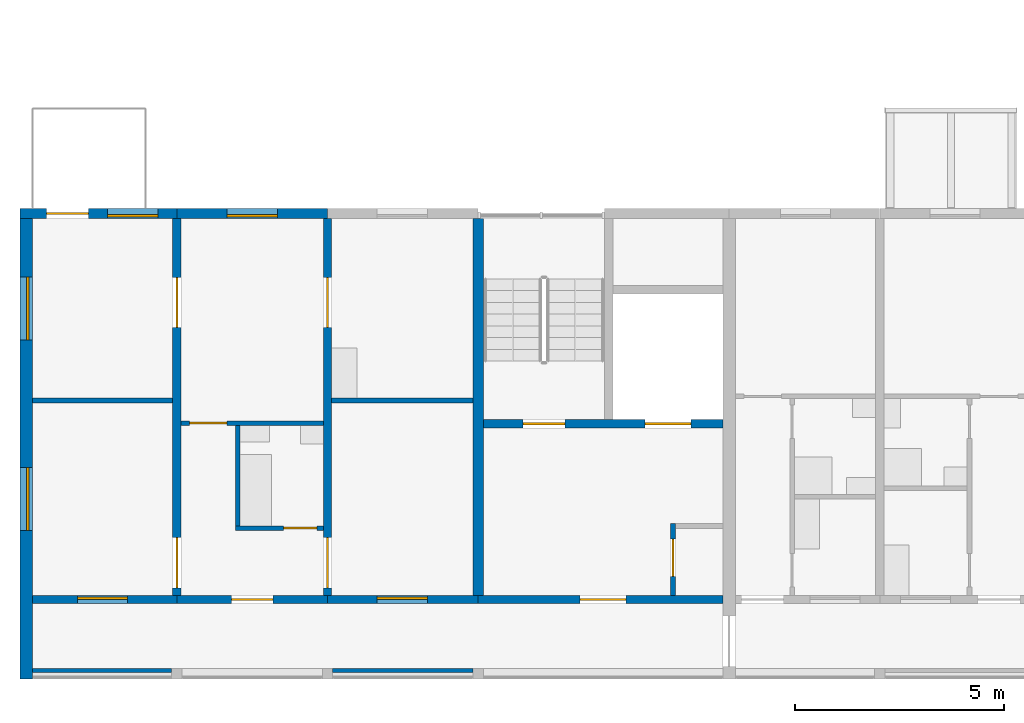
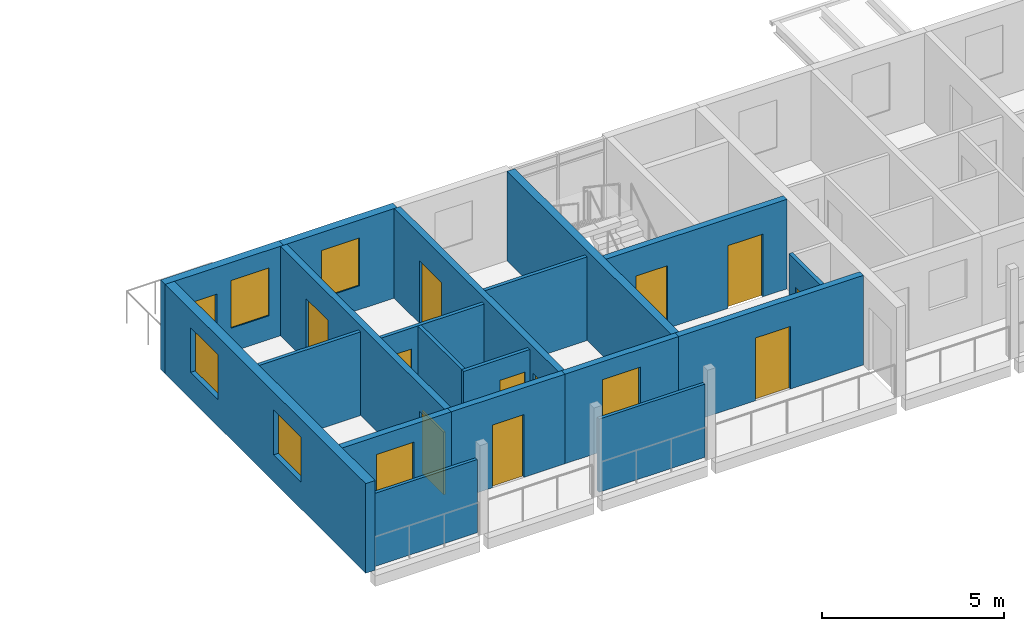
# One storey, part 33 of 94: 19 walls, 12 doors, 6 windows, 18 openings.
"""IFC4 building model written with IfcOpenShell, lengths in metres."""

from ifc_helpers import new_model, si_unit, direction, frame, frame_2d, origin, place, context, subcontext, project, spatial, rectangle, extrude, material, layer, layer_set, type_object, element, fill, save


model = new_model("IFC4")

# Units and contexts
model_context = context("Model", 3, precision=1e-05, world=origin(), true_north=direction((0.0, 1.0)))
body_context = subcontext(model_context, "Body", "Model", "MODEL_VIEW")
ifc_project = project(units=[si_unit("LENGTHUNIT", "METRE"), si_unit("AREAUNIT", "SQUARE_METRE"), si_unit("VOLUMEUNIT", "CUBIC_METRE"), si_unit("PLANEANGLEUNIT", "RADIAN"), si_unit("MASSUNIT", "GRAM", prefix="KILO")], contexts=[model_context])

# Site, building, storey
site_placement = place(None, origin())
site = spatial("IfcSite", under=ifc_project, at=site_placement, CompositionType="ELEMENT")
building_placement = place(site_placement, origin())
building = spatial("IfcBuilding", under=site, at=building_placement, Name="Ridgestep Commons", CompositionType="ELEMENT")
storey_placement = place(building_placement, frame((0.0, 0.0, 24.0)))
storey = spatial("IfcBuildingStorey", under=building, at=storey_placement, Name="L08", CompositionType="ELEMENT", Elevation=24.0)

# Wall
ifc_material_1 = material(Name="Concrete C30/37", Category="concrete")
ifc_layer_1 = layer(ifc_material_1, 0.25)
ifc_layer_set_1 = layer_set([ifc_layer_1], Name="Core cross wall 250")
wall_type_1 = type_object("IfcWallType", Name="Core cross wall 250", PredefinedType="SHEAR", material=ifc_layer_set_1)
wall_1_placement = place(storey_placement, frame((22.800048828125, 13.75, 0.0), z_axis=(0.0, 0.0, 1.0), x_axis=(0.0, 1.0, 0.0)))
element("IfcWall", 1, at=wall_1_placement, inside=storey, type_object=wall_type_1, Name="Cross wall A-08-0228", PredefinedType="SHEAR", context=body_context, shape_type="SweptSolid", body=[
    extrude(rectangle(XDim=9.0, YDim=0.25, at=frame_2d((4.5, 0.0))), origin(), (0.0, 0.0, 1.0), 3.0),
])

# Wall, opening, door
ifc_material_2 = material(Name="Concrete C30/37", Category="concrete")
ifc_layer_2 = layer(ifc_material_2, 0.199951171875)
ifc_layer_set_2 = layer_set([ifc_layer_2], Name="Core south wall 200")
wall_type_2 = type_object("IfcWallType", Name="Core south wall 200", PredefinedType="SHEAR", material=ifc_layer_set_2)
wall_2_placement = place(storey_placement, frame((22.800048828125, 13.64990234375, 0.0), z_axis=(0.0, 0.0, 1.0), x_axis=(1.0, 0.0, 0.0)))
wall_2 = element("IfcWall", 2, at=wall_2_placement, inside=storey, type_object=wall_type_2, Name="Core south wall A1C L08", PredefinedType="SHEAR", context=body_context, shape_type="SweptSolid", body=[
    extrude(rectangle(XDim=5.849853515625, YDim=0.199951171875, at=frame_2d((2.9248046875, 0.0))), origin(), (0.0, 0.0, 1.0), 3.0),
])
opening_1_placement = place(wall_2_placement, frame((2.4375, 0.0, 0.0)))
opening_1 = element("IfcOpeningElement", 3, at=opening_1_placement, cuts=wall_2, Name="Opening A1C/08/1", PredefinedType="OPENING", context=body_context, shape_type="SweptSolid", body=[
    extrude(rectangle(XDim=1.10009765625, YDim=2.10009765625, at=frame_2d((0.550048828125, 1.050048828125))), frame((0.0, 0.10986328125, 0.0), z_axis=(0.0, -1.0, 0.0), x_axis=(1.0, 0.0, 0.0)), (0.0, 0.0, 1.0), 0.219970703125),
])
ifc_material_3 = material(Name="Steel fire door", Category="steel")
door_type_1 = type_object("IfcDoorType", Name="Lobby door 1100 x 2100 FD60", OperationType="NOTDEFINED", PredefinedType="DOOR", material=ifc_material_3)
door_1_placement = place(opening_1_placement, origin())
door_1 = element("IfcDoor", 4, at=door_1_placement, inside=storey, type_object=door_type_1, Name="Lobby door A1C/08/1", OperationType="SINGLE_SWING_LEFT", OverallHeight=2.10009765625, OverallWidth=1.10009765625, PredefinedType="DOOR", context=body_context, shape_type="SweptSolid", body=[
    extrude(rectangle(XDim=1.10009765625, YDim=2.10009765625, at=frame_2d((0.550048828125, 1.050048828125))), frame((0.0, 0.02490234375, 0.0), z_axis=(0.0, -1.0, 0.0), x_axis=(1.0, 0.0, 0.0)), (0.0, 0.0, 1.0), 0.050048828125),
])
fill(opening_1, door_1)

ifc_material_4 = material(Name="Concrete C30/37", Category="concrete")
ifc_layer_3 = layer(ifc_material_4, 0.1201171875)
ifc_layer_set_3 = layer_set([ifc_layer_3], Name="Core wall 120")
wall_type_3 = type_object("IfcWallType", Name="Core wall 120", PredefinedType="SHEAR", material=ifc_layer_set_3)
wall_3_placement = place(storey_placement, frame((27.4599609375, 13.75, 0.0), z_axis=(0.0, 0.0, 1.0), x_axis=(0.0, 1.0, 0.0)))
wall_3 = element("IfcWall", 5, at=wall_3_placement, inside=storey, type_object=wall_type_3, Name="Core riser w wall A1C L08", PredefinedType="SHEAR", context=body_context, shape_type="SweptSolid", body=[
    extrude(rectangle(XDim=1.719970703125, YDim=0.1201171875, at=frame_2d((0.85986328125, 0.0))), origin(), (0.0, 0.0, 1.0), 3.0),
])
opening_2_placement = place(wall_3_placement, frame((0.449951171875, 0.0, 0.0)))
opening_2 = element("IfcOpeningElement", 6, at=opening_2_placement, cuts=wall_3, Name="Opening A1C/08/4", PredefinedType="OPENING", context=body_context, shape_type="SweptSolid", body=[
    extrude(rectangle(XDim=0.89990234375, YDim=2.10009765625, at=frame_2d((0.449951171875, 1.050048828125))), frame((0.0, 0.070068359375, 0.0), z_axis=(0.0, -1.0, 0.0), x_axis=(1.0, 0.0, 0.0)), (0.0, 0.0, 1.0), 0.14013671875),
])
ifc_material_5 = material(Name="Steel fire door", Category="steel")
door_type_2 = type_object("IfcDoorType", Name="Riser door 900 x 2100 FD60", OperationType="NOTDEFINED", PredefinedType="DOOR", material=ifc_material_5)
door_2_placement = place(opening_2_placement, origin())
door_2 = element("IfcDoor", 7, at=door_2_placement, inside=storey, type_object=door_type_2, Name="Riser door A1C/08/4", OperationType="SINGLE_SWING_LEFT", OverallHeight=2.10009765625, OverallWidth=0.89990234375, PredefinedType="DOOR", context=body_context, shape_type="SweptSolid", body=[
    extrude(rectangle(XDim=0.89990234375, YDim=2.10009765625, at=frame_2d((0.449951171875, 1.050048828125))), frame((0.0, 0.02490234375, 0.0), z_axis=(0.0, -1.0, 0.0), x_axis=(1.0, 0.0, 0.0)), (0.0, 0.0, 1.0), 0.050048828125),
])
fill(opening_2, door_2)

# Wall, openings, doors
ifc_material_6 = material(Name="Concrete C30/37", Category="concrete")
ifc_layer_4 = layer(ifc_material_6, 0.199951171875)
ifc_layer_set_4 = layer_set([ifc_layer_4], Name="Core wall 200")
wall_type_4 = type_object("IfcWallType", Name="Core wall 200", PredefinedType="SHEAR", material=ifc_layer_set_4)
wall_4_placement = place(storey_placement, frame((22.925048828125, 17.85009765625, 0.0), z_axis=(0.0, 0.0, 1.0), x_axis=(1.0, 0.0, 0.0)))
wall_4 = element("IfcWall", 8, at=wall_4_placement, inside=storey, type_object=wall_type_4, Name="Core lobby wall A1C L08", PredefinedType="SHEAR", context=body_context, shape_type="SweptSolid", body=[
    extrude(rectangle(XDim=5.724853515625, YDim=0.199951171875, at=frame_2d((2.8623046875, 0.0))), origin(), (0.0, 0.0, 1.0), 3.0),
])
opening_3_placement = place(wall_4_placement, frame((0.949951171875, 0.0, 0.0)))
opening_3 = element("IfcOpeningElement", 9, at=opening_3_placement, cuts=wall_4, Name="Opening A1C/08/2", PredefinedType="OPENING", context=body_context, shape_type="SweptSolid", body=[
    extrude(rectangle(XDim=1.0, YDim=2.10009765625, at=frame_2d((0.5, 1.050048828125))), frame((0.0, 0.10986328125, 0.0), z_axis=(0.0, -1.0, 0.0), x_axis=(1.0, 0.0, 0.0)), (0.0, 0.0, 1.0), 0.219970703125),
])
opening_4_placement = place(wall_4_placement, frame((3.862548828125, 0.0, 0.0)))
opening_4 = element("IfcOpeningElement", 10, at=opening_4_placement, cuts=wall_4, Name="Opening A1C/08/3", PredefinedType="OPENING", context=body_context, shape_type="SweptSolid", body=[
    extrude(rectangle(XDim=1.10009765625, YDim=2.10009765625, at=frame_2d((0.550048828125, 1.050048828125))), frame((0.0, 0.10986328125, 0.0), z_axis=(0.0, -1.0, 0.0), x_axis=(1.0, 0.0, 0.0)), (0.0, 0.0, 1.0), 0.219970703125),
])
ifc_material_7 = material(Name="Stainless steel", Category="steel")
door_type_3 = type_object("IfcDoorType", Name="Lift landing door 1100 x 2100 FD60", OperationType="DOUBLE_DOOR_SLIDING", PredefinedType="DOOR", material=ifc_material_7)
door_3_placement = place(opening_4_placement, origin())
door_3 = element("IfcDoor", 11, at=door_3_placement, inside=storey, type_object=door_type_3, Name="Landing door LD A1C L08", OperationType="DOUBLE_DOOR_SLIDING", OverallHeight=2.10009765625, OverallWidth=1.10009765625, PredefinedType="DOOR", context=body_context, shape_type="SweptSolid", body=[
    extrude(rectangle(XDim=1.10009765625, YDim=2.10009765625, at=frame_2d((0.550048828125, 1.050048828125))), frame((0.0, 0.02490234375, 0.0), z_axis=(0.0, -1.0, 0.0), x_axis=(1.0, 0.0, 0.0)), (0.0, 0.0, 1.0), 0.050048828125),
])
fill(opening_4, door_3)
ifc_material_8 = material(Name="Steel fire door", Category="steel")
door_type_4 = type_object("IfcDoorType", Name="Stair door 1000 x 2100 FD60", OperationType="NOTDEFINED", PredefinedType="DOOR", material=ifc_material_8)
door_4_placement = place(opening_3_placement, origin())
door_4 = element("IfcDoor", 12, at=door_4_placement, inside=storey, type_object=door_type_4, Name="Stair door A1C/08/2", OperationType="SINGLE_SWING_RIGHT", OverallHeight=2.10009765625, OverallWidth=1.0, PredefinedType="DOOR", context=body_context, shape_type="SweptSolid", body=[
    extrude(rectangle(XDim=1.0, YDim=2.10009765625, at=frame_2d((0.5, 1.050048828125))), frame((0.0, 0.02490234375, 0.0), z_axis=(0.0, -1.0, 0.0), x_axis=(1.0, 0.0, 0.0)), (0.0, 0.0, 1.0), 0.050048828125),
])
fill(opening_3, door_4)

ifc_material_9 = material(Name="Precast concrete C40/50", Category="concrete")
ifc_layer_5 = layer(ifc_material_9, 0.199951171875)
ifc_layer_set_5 = layer_set([ifc_layer_5], Name="Cross wall 200")
wall_type_5 = type_object("IfcWallType", Name="Cross wall 200", PredefinedType="SHEAR", material=ifc_layer_set_5)
wall_5_placement = place(storey_placement, frame((15.60009765625, 13.75, 0.0), z_axis=(0.0, 0.0, 1.0), x_axis=(0.0, 1.0, 0.0)))
wall_5 = element("IfcWall", 13, at=wall_5_placement, inside=storey, type_object=wall_type_5, Name="Cross wall A-08-0156", PredefinedType="SHEAR", context=body_context, shape_type="SweptSolid", body=[
    extrude(rectangle(XDim=9.0, YDim=0.199951171875, at=frame_2d((4.5, 0.0))), origin(), (0.0, 0.0, 1.0), 3.0),
])
opening_5_placement = place(wall_5_placement, frame((0.175048828125, 0.0, 0.0)))
opening_5 = element("IfcOpeningElement", 14, at=opening_5_placement, cuts=wall_5, Name="Opening A1-08a/4", PredefinedType="OPENING", context=body_context, shape_type="SweptSolid", body=[
    extrude(rectangle(XDim=1.199951171875, YDim=2.10009765625, at=frame_2d((0.60009765625, 1.050048828125))), frame((0.0, 0.10986328125, 0.0), z_axis=(0.0, -1.0, 0.0), x_axis=(1.0, 0.0, 0.0)), (0.0, 0.0, 1.0), 0.219970703125),
])
opening_6_placement = place(wall_5_placement, frame((6.39990234375, 0.0, 0.0)))
opening_6 = element("IfcOpeningElement", 15, at=opening_6_placement, cuts=wall_5, Name="Opening A1-08a/5", PredefinedType="OPENING", context=body_context, shape_type="SweptSolid", body=[
    extrude(rectangle(XDim=1.199951171875, YDim=2.10009765625, at=frame_2d((0.60009765625, 1.050048828125))), frame((0.0, 0.10986328125, 0.0), z_axis=(0.0, -1.0, 0.0), x_axis=(1.0, 0.0, 0.0)), (0.0, 0.0, 1.0), 0.219970703125),
])
ifc_material_10 = material(Name="Timber door leaf", Category="wood")
door_type_5 = type_object("IfcDoorType", Name="Double door 1200 x 2100", OperationType="DOUBLE_DOOR_SINGLE_SWING", PredefinedType="DOOR", material=ifc_material_10)
door_5_placement = place(opening_5_placement, origin())
door_5 = element("IfcDoor", 16, at=door_5_placement, inside=storey, type_object=door_type_5, Name="Double door A1-08a/4", OperationType="DOUBLE_DOOR_SINGLE_SWING", OverallHeight=2.10009765625, OverallWidth=1.199951171875, PredefinedType="DOOR", context=body_context, shape_type="SweptSolid", body=[
    extrude(rectangle(XDim=1.199951171875, YDim=2.10009765625, at=frame_2d((0.60009765625, 1.050048828125))), frame((0.0, 0.02490234375, 0.0), z_axis=(0.0, -1.0, 0.0), x_axis=(1.0, 0.0, 0.0)), (0.0, 0.0, 1.0), 0.050048828125),
])
fill(opening_5, door_5)
door_6_placement = place(opening_6_placement, origin())
door_6 = element("IfcDoor", 17, at=door_6_placement, inside=storey, type_object=door_type_5, Name="Double door A1-08a/5", OperationType="DOUBLE_DOOR_SINGLE_SWING", OverallHeight=2.10009765625, OverallWidth=1.199951171875, PredefinedType="DOOR", context=body_context, shape_type="SweptSolid", body=[
    extrude(rectangle(XDim=1.199951171875, YDim=2.10009765625, at=frame_2d((0.60009765625, 1.050048828125))), frame((0.0, 0.02490234375, 0.0), z_axis=(0.0, -1.0, 0.0), x_axis=(1.0, 0.0, 0.0)), (0.0, 0.0, 1.0), 0.050048828125),
])
fill(opening_6, door_6)

wall_6_placement = place(storey_placement, frame((19.199951171875, 13.75, 0.0), z_axis=(0.0, 0.0, 1.0), x_axis=(0.0, 1.0, 0.0)))
wall_6 = element("IfcWall", 18, at=wall_6_placement, inside=storey, type_object=wall_type_5, Name="Cross wall A-08-0192", PredefinedType="SHEAR", context=body_context, shape_type="SweptSolid", body=[
    extrude(rectangle(XDim=9.0, YDim=0.199951171875, at=frame_2d((4.5, 0.0))), origin(), (0.0, 0.0, 1.0), 3.0),
])
opening_7_placement = place(wall_6_placement, frame((0.175048828125, 0.0, 0.0)))
opening_7 = element("IfcOpeningElement", 19, at=opening_7_placement, cuts=wall_6, Name="Opening A1-08a/6", PredefinedType="OPENING", context=body_context, shape_type="SweptSolid", body=[
    extrude(rectangle(XDim=1.199951171875, YDim=2.10009765625, at=frame_2d((0.60009765625, 1.050048828125))), frame((0.0, 0.10986328125, 0.0), z_axis=(0.0, -1.0, 0.0), x_axis=(1.0, 0.0, 0.0)), (0.0, 0.0, 1.0), 0.219970703125),
])
opening_8_placement = place(wall_6_placement, frame((6.39990234375, 0.0, 0.0)))
opening_8 = element("IfcOpeningElement", 20, at=opening_8_placement, cuts=wall_6, Name="Opening A1-08a/7", PredefinedType="OPENING", context=body_context, shape_type="SweptSolid", body=[
    extrude(rectangle(XDim=1.199951171875, YDim=2.10009765625, at=frame_2d((0.60009765625, 1.050048828125))), frame((0.0, 0.10986328125, 0.0), z_axis=(0.0, -1.0, 0.0), x_axis=(1.0, 0.0, 0.0)), (0.0, 0.0, 1.0), 0.219970703125),
])
door_7_placement = place(opening_7_placement, origin())
door_7 = element("IfcDoor", 21, at=door_7_placement, inside=storey, type_object=door_type_5, Name="Double door A1-08a/6", OperationType="DOUBLE_DOOR_SINGLE_SWING", OverallHeight=2.10009765625, OverallWidth=1.199951171875, PredefinedType="DOOR", context=body_context, shape_type="SweptSolid", body=[
    extrude(rectangle(XDim=1.199951171875, YDim=2.10009765625, at=frame_2d((0.60009765625, 1.050048828125))), frame((0.0, 0.02490234375, 0.0), z_axis=(0.0, -1.0, 0.0), x_axis=(1.0, 0.0, 0.0)), (0.0, 0.0, 1.0), 0.050048828125),
])
fill(opening_7, door_7)
door_8_placement = place(opening_8_placement, origin())
door_8 = element("IfcDoor", 22, at=door_8_placement, inside=storey, type_object=door_type_5, Name="Double door A1-08a/7", OperationType="DOUBLE_DOOR_SINGLE_SWING", OverallHeight=2.10009765625, OverallWidth=1.199951171875, PredefinedType="DOOR", context=body_context, shape_type="SweptSolid", body=[
    extrude(rectangle(XDim=1.199951171875, YDim=2.10009765625, at=frame_2d((0.60009765625, 1.050048828125))), frame((0.0, 0.02490234375, 0.0), z_axis=(0.0, -1.0, 0.0), x_axis=(1.0, 0.0, 0.0)), (0.0, 0.0, 1.0), 0.050048828125),
])
fill(opening_8, door_8)

# Wall, openings, windows
ifc_material_11 = material(Name="Precast concrete C40/50", Category="concrete")
ifc_layer_6 = layer(ifc_material_11, 0.300048828125)
ifc_layer_set_6 = layer_set([ifc_layer_6], Name="Exposed division wall 300")
wall_type_6 = type_object("IfcWallType", Name="Exposed division wall 300", PredefinedType="SHEAR", material=ifc_layer_set_6)
wall_7_placement = place(storey_placement, frame((12.0, 11.75, 0.0), z_axis=(0.0, 0.0, 1.0), x_axis=(0.0, 1.0, 0.0)))
wall_7 = element("IfcWall", 23, at=wall_7_placement, inside=storey, type_object=wall_type_6, Name="Cross wall A-08-0120", PredefinedType="SHEAR", context=body_context, shape_type="SweptSolid", body=[
    extrude(rectangle(XDim=11.0, YDim=0.300048828125, at=frame_2d((5.5, 0.0))), origin(), (0.0, 0.0, 1.0), 3.0),
])
opening_9_placement = place(wall_7_placement, frame((3.550048828125, 0.0, 0.89990234375)))
opening_9 = element("IfcOpeningElement", 24, at=opening_9_placement, cuts=wall_7, Name="Opening W16", PredefinedType="OPENING", context=body_context, shape_type="SweptSolid", body=[
    extrude(rectangle(XDim=1.5, YDim=1.5, at=frame_2d((0.75, 0.75))), frame((0.0, 0.159912109375, 0.0), z_axis=(0.0, -1.0, 0.0), x_axis=(1.0, 0.0, 0.0)), (0.0, 0.0, 1.0), 0.320068359375),
])
opening_10_placement = place(wall_7_placement, frame((8.10498046875, 0.0, 0.89990234375)))
opening_10 = element("IfcOpeningElement", 25, at=opening_10_placement, cuts=wall_7, Name="Opening W16", PredefinedType="OPENING", context=body_context, shape_type="SweptSolid", body=[
    extrude(rectangle(XDim=1.5, YDim=1.5, at=frame_2d((0.75, 0.75))), frame((0.0, 0.159912109375, 0.0), z_axis=(0.0, -1.0, 0.0), x_axis=(1.0, 0.0, 0.0)), (0.0, 0.0, 1.0), 0.320068359375),
])
ifc_material_12 = material(Name="Aluminium 6063-T6 and glass", Category="aluminium")
window_type_1 = type_object("IfcWindowType", Name="Flat window 1500 x 1500", PartitioningType="DOUBLE_PANEL_VERTICAL", PredefinedType="WINDOW", material=ifc_material_12)
window_1_placement = place(opening_9_placement, origin())
window_1 = element("IfcWindow", 26, at=window_1_placement, inside=storey, type_object=window_type_1, Name="Window A1-08a 6", OverallHeight=1.5, OverallWidth=1.5, PartitioningType="SINGLE_PANEL", PredefinedType="WINDOW", context=body_context, shape_type="SweptSolid", body=[
    extrude(rectangle(XDim=1.5, YDim=1.5, at=frame_2d((0.75, 0.75))), frame((0.0, 0.0, 0.0), z_axis=(0.0, -1.0, 0.0), x_axis=(1.0, 0.0, 0.0)), (0.0, 0.0, 1.0), 0.06005859375),
])
fill(opening_9, window_1)
window_2_placement = place(opening_10_placement, origin())
window_2 = element("IfcWindow", 27, at=window_2_placement, inside=storey, type_object=window_type_1, Name="Window A1-08a 7", OverallHeight=1.5, OverallWidth=1.5, PartitioningType="SINGLE_PANEL", PredefinedType="WINDOW", context=body_context, shape_type="SweptSolid", body=[
    extrude(rectangle(XDim=1.5, YDim=1.5, at=frame_2d((0.75, 0.75))), frame((0.0, 0.0, 0.0), z_axis=(0.0, -1.0, 0.0), x_axis=(1.0, 0.0, 0.0)), (0.0, 0.0, 1.0), 0.06005859375),
])
fill(opening_10, window_2)

# Wall, openings, door, window
ifc_material_13 = material(Name="Precast concrete C40/50", Category="concrete")
ifc_layer_7 = layer(ifc_material_13, 0.25)
ifc_layer_set_7 = layer_set([ifc_layer_7], Name="North facade panel 250")
wall_type_7 = type_object("IfcWallType", Name="North facade panel 250", PredefinedType="SOLIDWALL", material=ifc_layer_set_7)
wall_8_placement = place(storey_placement, frame((11.85009765625, 22.875, 0.0), z_axis=(0.0, 0.0, 1.0), x_axis=(1.0, 0.0, 0.0)))
wall_8 = element("IfcWall", 28, at=wall_8_placement, inside=storey, type_object=wall_type_7, Name="North panel A1T1 L08", PredefinedType="SOLIDWALL", context=body_context, shape_type="SweptSolid", body=[
    extrude(rectangle(XDim=3.75, YDim=0.25, at=frame_2d((1.875, 0.0))), origin(), (0.0, 0.0, 1.0), 3.0),
])
opening_11_placement = place(wall_8_placement, frame((2.092529296875, 0.0, 0.800048828125)))
opening_11 = element("IfcOpeningElement", 29, at=opening_11_placement, cuts=wall_8, Name="Opening W11", PredefinedType="OPENING", context=body_context, shape_type="SweptSolid", body=[
    extrude(rectangle(XDim=1.199951171875, YDim=1.60009765625, at=frame_2d((0.60009765625, 0.800048828125))), frame((0.0, 0.135009765625, 0.0), z_axis=(0.0, -1.0, 0.0), x_axis=(1.0, 0.0, 0.0)), (0.0, 0.0, 1.0), 0.27001953125),
])
opening_12_placement = place(wall_8_placement, frame((0.635009765625, 0.0, 0.0)))
opening_12 = element("IfcOpeningElement", 30, at=opening_12_placement, cuts=wall_8, Name="Opening A1-08a/8", PredefinedType="OPENING", context=body_context, shape_type="SweptSolid", body=[
    extrude(rectangle(XDim=1.0, YDim=2.10009765625, at=frame_2d((0.5, 1.050048828125))), frame((0.0, 0.135009765625, 0.0), z_axis=(0.0, -1.0, 0.0), x_axis=(1.0, 0.0, 0.0)), (0.0, 0.0, 1.0), 0.27001953125),
])
ifc_material_14 = material(Name="Aluminium and glass", Category="aluminium")
door_type_6 = type_object("IfcDoorType", Name="Balcony door 1000 x 2100", OperationType="NOTDEFINED", PredefinedType="DOOR", material=ifc_material_14)
door_9_placement = place(opening_12_placement, origin())
door_9 = element("IfcDoor", 31, at=door_9_placement, inside=storey, type_object=door_type_6, Name="Balcony door A1-08a/8", OperationType="SINGLE_SWING_RIGHT", OverallHeight=2.10009765625, OverallWidth=1.0, PredefinedType="DOOR", context=body_context, shape_type="SweptSolid", body=[
    extrude(rectangle(XDim=1.0, YDim=2.10009765625, at=frame_2d((0.5, 1.050048828125))), frame((0.0, 0.02490234375, 0.0), z_axis=(0.0, -1.0, 0.0), x_axis=(1.0, 0.0, 0.0)), (0.0, 0.0, 1.0), 0.050048828125),
])
fill(opening_12, door_9)
ifc_material_15 = material(Name="Aluminium 6063-T6 and glass", Category="aluminium")
window_type_2 = type_object("IfcWindowType", Name="Flat window 1200 x 1600", PartitioningType="SINGLE_PANEL", PredefinedType="WINDOW", material=ifc_material_15)
window_3_placement = place(opening_11_placement, origin())
window_3 = element("IfcWindow", 32, at=window_3_placement, inside=storey, type_object=window_type_2, Name="Window A1-08a 2", OverallHeight=1.60009765625, OverallWidth=1.199951171875, PartitioningType="SINGLE_PANEL", PredefinedType="WINDOW", context=body_context, shape_type="SweptSolid", body=[
    extrude(rectangle(XDim=1.199951171875, YDim=1.60009765625, at=frame_2d((0.60009765625, 0.800048828125))), frame((0.0, -0.02490234375, 0.0), z_axis=(0.0, -1.0, 0.0), x_axis=(1.0, 0.0, 0.0)), (0.0, 0.0, 1.0), 0.06005859375),
])
fill(opening_11, window_3)

# Wall, opening, window
wall_9_placement = place(storey_placement, frame((15.60009765625, 22.875, 0.0), z_axis=(0.0, 0.0, 1.0), x_axis=(1.0, 0.0, 0.0)))
wall_9 = element("IfcWall", 33, at=wall_9_placement, inside=storey, type_object=wall_type_7, Name="North panel A1T2 L08", PredefinedType="SOLIDWALL", context=body_context, shape_type="SweptSolid", body=[
    extrude(rectangle(XDim=3.599853515625, YDim=0.25, at=frame_2d((1.7998046875, 0.0))), origin(), (0.0, 0.0, 1.0), 3.0),
])
opening_13_placement = place(wall_9_placement, frame((1.199951171875, 0.0, 0.800048828125)))
opening_13 = element("IfcOpeningElement", 34, at=opening_13_placement, cuts=wall_9, Name="Opening W11", PredefinedType="OPENING", context=body_context, shape_type="SweptSolid", body=[
    extrude(rectangle(XDim=1.199951171875, YDim=1.60009765625, at=frame_2d((0.60009765625, 0.800048828125))), frame((0.0, 0.135009765625, 0.0), z_axis=(0.0, -1.0, 0.0), x_axis=(1.0, 0.0, 0.0)), (0.0, 0.0, 1.0), 0.27001953125),
])
window_4_placement = place(opening_13_placement, origin())
window_4 = element("IfcWindow", 35, at=window_4_placement, inside=storey, type_object=window_type_2, Name="Window A1-08a 5", OverallHeight=1.60009765625, OverallWidth=1.199951171875, PartitioningType="SINGLE_PANEL", PredefinedType="WINDOW", context=body_context, shape_type="SweptSolid", body=[
    extrude(rectangle(XDim=1.199951171875, YDim=1.60009765625, at=frame_2d((0.60009765625, 0.800048828125))), frame((0.0, -0.02490234375, 0.0), z_axis=(0.0, -1.0, 0.0), x_axis=(1.0, 0.0, 0.0)), (0.0, 0.0, 1.0), 0.06005859375),
])
fill(opening_13, window_4)

# Wall, opening, door
ifc_material_16 = material(Name="Common brick 110 mm", Category="masonry")
ifc_layer_8 = layer(ifc_material_16, 0.110107421875)
ifc_layer_set_8 = layer_set([ifc_layer_8], Name="Partition 110")
wall_type_8 = type_object("IfcWallType", Name="Partition 110", PredefinedType="PARTITIONING", material=ifc_layer_set_8)
wall_10_placement = place(storey_placement, frame((17.0, 15.35498046875, 0.0), z_axis=(0.0, 0.0, 1.0), x_axis=(1.0, 0.0, 0.0)))
wall_10 = element("IfcWall", 36, at=wall_10_placement, inside=storey, type_object=wall_type_8, Name="Partition A1-08a", PredefinedType="PARTITIONING", context=body_context, shape_type="SweptSolid", body=[
    extrude(rectangle(XDim=2.10009765625, YDim=0.110107421875, at=frame_2d((1.050048828125, 0.0))), origin(), (0.0, 0.0, 1.0), 2.800048828125),
])
opening_14_placement = place(wall_10_placement, frame((1.14990234375, 0.0, 0.0)))
opening_14 = element("IfcOpeningElement", 37, at=opening_14_placement, cuts=wall_10, Name="Opening A1-08a/2", PredefinedType="OPENING", context=body_context, shape_type="SweptSolid", body=[
    extrude(rectangle(XDim=0.800048828125, YDim=2.10009765625, at=frame_2d((0.39990234375, 1.050048828125))), frame((0.0, 0.06494140625, 0.0), z_axis=(0.0, -1.0, 0.0), x_axis=(1.0, 0.0, 0.0)), (0.0, 0.0, 1.0), 0.130126953125),
])
ifc_material_17 = material(Name="Timber door leaf", Category="wood")
door_type_7 = type_object("IfcDoorType", Name="Internal door 800 x 2100", OperationType="NOTDEFINED", PredefinedType="DOOR", material=ifc_material_17)
door_10_placement = place(opening_14_placement, origin())
door_10 = element("IfcDoor", 38, at=door_10_placement, inside=storey, type_object=door_type_7, Name="Internal door A1-08a/2", OperationType="SINGLE_SWING_RIGHT", OverallHeight=2.10009765625, OverallWidth=0.800048828125, PredefinedType="DOOR", context=body_context, shape_type="SweptSolid", body=[
    extrude(rectangle(XDim=0.800048828125, YDim=2.10009765625, at=frame_2d((0.39990234375, 1.050048828125))), frame((0.0, 0.02490234375, 0.0), z_axis=(0.0, -1.0, 0.0), x_axis=(1.0, 0.0, 0.0)), (0.0, 0.0, 1.0), 0.050048828125),
])
fill(opening_14, door_10)

# Wall
wall_11_placement = place(storey_placement, frame((17.054931640625, 15.409912109375, 0.0), z_axis=(0.0, 0.0, 1.0), x_axis=(0.0, 1.0, 0.0)))
element("IfcWall", 39, at=wall_11_placement, inside=storey, type_object=wall_type_8, Name="Partition A1-08a", PredefinedType="PARTITIONING", context=body_context, shape_type="SweptSolid", body=[
    extrude(rectangle(XDim=2.400146484375, YDim=0.110107421875, at=frame_2d((1.2001953125, 0.0))), origin(), (0.0, 0.0, 1.0), 2.800048828125),
])

# Wall, opening, door
wall_12_placement = place(storey_placement, frame((15.699951171875, 17.864990234375, 0.0), z_axis=(0.0, 0.0, 1.0), x_axis=(1.0, 0.0, 0.0)))
wall_12 = element("IfcWall", 40, at=wall_12_placement, inside=storey, type_object=wall_type_8, Name="Partition A1-08a", PredefinedType="PARTITIONING", context=body_context, shape_type="SweptSolid", body=[
    extrude(rectangle(XDim=3.400146484375, YDim=0.110107421875, at=frame_2d((1.7001953125, 0.0))), origin(), (0.0, 0.0, 1.0), 2.800048828125),
])
opening_15_placement = place(wall_12_placement, frame((0.199951171875, 0.0, 0.0)))
opening_15 = element("IfcOpeningElement", 41, at=opening_15_placement, cuts=wall_12, Name="Opening A1-08a/3", PredefinedType="OPENING", context=body_context, shape_type="SweptSolid", body=[
    extrude(rectangle(XDim=0.89990234375, YDim=2.10009765625, at=frame_2d((0.449951171875, 1.050048828125))), frame((0.0, 0.06494140625, 0.0), z_axis=(0.0, -1.0, 0.0), x_axis=(1.0, 0.0, 0.0)), (0.0, 0.0, 1.0), 0.130126953125),
])
ifc_material_18 = material(Name="Timber door leaf", Category="wood")
door_type_8 = type_object("IfcDoorType", Name="Internal door 900 x 2100", OperationType="NOTDEFINED", PredefinedType="DOOR", material=ifc_material_18)
door_11_placement = place(opening_15_placement, origin())
door_11 = element("IfcDoor", 42, at=door_11_placement, inside=storey, type_object=door_type_8, Name="Internal door A1-08a/3", OperationType="SINGLE_SWING_RIGHT", OverallHeight=2.10009765625, OverallWidth=0.89990234375, PredefinedType="DOOR", context=body_context, shape_type="SweptSolid", body=[
    extrude(rectangle(XDim=0.89990234375, YDim=2.10009765625, at=frame_2d((0.449951171875, 1.050048828125))), frame((0.0, 0.02490234375, 0.0), z_axis=(0.0, -1.0, 0.0), x_axis=(1.0, 0.0, 0.0)), (0.0, 0.0, 1.0), 0.050048828125),
])
fill(opening_15, door_11)

# Walls
wall_13_placement = place(storey_placement, frame((12.14990234375, 18.405029296875, 0.0), z_axis=(0.0, 0.0, 1.0), x_axis=(1.0, 0.0, 0.0)))
element("IfcWall", 43, at=wall_13_placement, inside=storey, type_object=wall_type_8, Name="Partition A1-08a", PredefinedType="PARTITIONING", context=body_context, shape_type="SweptSolid", body=[
    extrude(rectangle(XDim=3.35009765625, YDim=0.110107421875, at=frame_2d((1.675048828125, 0.0))), origin(), (0.0, 0.0, 1.0), 2.800048828125),
])
wall_14_placement = place(storey_placement, frame((19.300048828125, 18.405029296875, 0.0), z_axis=(0.0, 0.0, 1.0), x_axis=(1.0, 0.0, 0.0)))
element("IfcWall", 44, at=wall_14_placement, inside=storey, type_object=wall_type_8, Name="Partition A1-08a", PredefinedType="PARTITIONING", context=body_context, shape_type="SweptSolid", body=[
    extrude(rectangle(XDim=3.375, YDim=0.110107421875, at=frame_2d((1.6875, 0.0))), origin(), (0.0, 0.0, 1.0), 2.800048828125),
])
ifc_material_19 = material(Name="Precast concrete C30/37", Category="concrete")
ifc_layer_9 = layer(ifc_material_19, 0.10009765625)
ifc_layer_set_9 = layer_set([ifc_layer_9], Name="Perforated gallery screen 3325 x 2450 x 100")
wall_type_9 = type_object("IfcWallType", Name="Perforated gallery screen 3325 x 2450 x 100", PredefinedType="SOLIDWALL", material=ifc_layer_set_9)
wall_15_placement = place(storey_placement, frame((12.14990234375, 11.949951171875, 0.0), z_axis=(0.0, 0.0, 1.0), x_axis=(1.0, 0.0, 0.0)))
element("IfcWall", 45, at=wall_15_placement, inside=storey, type_object=wall_type_9, Name="Gallery screen A1T1 08", PredefinedType="SOLIDWALL", context=body_context, shape_type="SweptSolid", body=[
    extrude(rectangle(XDim=3.3251953125, YDim=0.10009765625, at=frame_2d((1.66259765625, 0.0))), origin(), (0.0, 0.0, 1.0), 2.449951171875),
])
ifc_material_20 = material(Name="Precast concrete C30/37", Category="concrete")
ifc_layer_10 = layer(ifc_material_20, 0.10009765625)
ifc_layer_set_10 = layer_set([ifc_layer_10], Name="Perforated gallery screen 3350 x 2450 x 100")
wall_type_10 = type_object("IfcWallType", Name="Perforated gallery screen 3350 x 2450 x 100", PredefinedType="SOLIDWALL", material=ifc_layer_set_10)
wall_16_placement = place(storey_placement, frame((19.324951171875, 11.949951171875, 0.0), z_axis=(0.0, 0.0, 1.0), x_axis=(1.0, 0.0, 0.0)))
element("IfcWall", 46, at=wall_16_placement, inside=storey, type_object=wall_type_10, Name="Gallery screen A1T3 08", PredefinedType="SOLIDWALL", context=body_context, shape_type="SweptSolid", body=[
    extrude(rectangle(XDim=3.35009765625, YDim=0.10009765625, at=frame_2d((1.675048828125, 0.0))), origin(), (0.0, 0.0, 1.0), 2.449951171875),
])

# Wall, opening, window
ifc_material_21 = material(Name="Precast concrete C40/50", Category="concrete")
ifc_layer_11 = layer(ifc_material_21, 0.199951171875)
ifc_layer_set_11 = layer_set([ifc_layer_11], Name="South facade panel 200")
wall_type_11 = type_object("IfcWallType", Name="South facade panel 200", PredefinedType="SOLIDWALL", material=ifc_layer_set_11)
wall_17_placement = place(storey_placement, frame((12.14990234375, 13.64990234375, 0.0), z_axis=(0.0, 0.0, 1.0), x_axis=(1.0, 0.0, 0.0)))
wall_17 = element("IfcWall", 47, at=wall_17_placement, inside=storey, type_object=wall_type_11, Name="South panel A1T1 L08", PredefinedType="SOLIDWALL", context=body_context, shape_type="SweptSolid", body=[
    extrude(rectangle(XDim=3.4501953125, YDim=0.199951171875, at=frame_2d((1.72509765625, 0.0))), origin(), (0.0, 0.0, 1.0), 3.0),
])
opening_16_placement = place(wall_17_placement, frame((1.074951171875, 0.0, 0.800048828125)))
opening_16 = element("IfcOpeningElement", 48, at=opening_16_placement, cuts=wall_17, Name="Opening W11", PredefinedType="OPENING", context=body_context, shape_type="SweptSolid", body=[
    extrude(rectangle(XDim=1.199951171875, YDim=1.60009765625, at=frame_2d((0.60009765625, 0.800048828125))), frame((0.0, 0.10986328125, 0.0), z_axis=(0.0, -1.0, 0.0), x_axis=(1.0, 0.0, 0.0)), (0.0, 0.0, 1.0), 0.219970703125),
])
window_5_placement = place(opening_16_placement, origin())
window_5 = element("IfcWindow", 49, at=window_5_placement, inside=storey, type_object=window_type_2, Name="Window A1-08a 1", OverallHeight=1.60009765625, OverallWidth=1.199951171875, PartitioningType="SINGLE_PANEL", PredefinedType="WINDOW", context=body_context, shape_type="SweptSolid", body=[
    extrude(rectangle(XDim=1.199951171875, YDim=1.60009765625, at=frame_2d((0.60009765625, 0.800048828125))), frame((0.0, 0.06005859375, 0.0), z_axis=(0.0, -1.0, 0.0), x_axis=(1.0, 0.0, 0.0)), (0.0, 0.0, 1.0), 0.06005859375),
])
fill(opening_16, window_5)

# Wall, opening, door
wall_18_placement = place(storey_placement, frame((15.60009765625, 13.64990234375, 0.0), z_axis=(0.0, 0.0, 1.0), x_axis=(1.0, 0.0, 0.0)))
wall_18 = element("IfcWall", 50, at=wall_18_placement, inside=storey, type_object=wall_type_11, Name="South panel A1T2 L08", PredefinedType="SOLIDWALL", context=body_context, shape_type="SweptSolid", body=[
    extrude(rectangle(XDim=3.599853515625, YDim=0.199951171875, at=frame_2d((1.7998046875, 0.0))), origin(), (0.0, 0.0, 1.0), 3.0),
])
opening_17_placement = place(wall_18_placement, frame((1.300048828125, 0.0, 0.0)))
opening_17 = element("IfcOpeningElement", 51, at=opening_17_placement, cuts=wall_18, Name="Opening A1-08a/1", PredefinedType="OPENING", context=body_context, shape_type="SweptSolid", body=[
    extrude(rectangle(XDim=1.0, YDim=2.10009765625, at=frame_2d((0.5, 1.050048828125))), frame((0.0, 0.10986328125, 0.0), z_axis=(0.0, -1.0, 0.0), x_axis=(1.0, 0.0, 0.0)), (0.0, 0.0, 1.0), 0.219970703125),
])
ifc_material_22 = material(Name="Timber door leaf", Category="wood")
door_type_9 = type_object("IfcDoorType", Name="Flat entrance door 1000 x 2100 FD30S", OperationType="NOTDEFINED", PredefinedType="DOOR", material=ifc_material_22)
door_12_placement = place(opening_17_placement, origin())
door_12 = element("IfcDoor", 52, at=door_12_placement, inside=storey, type_object=door_type_9, Name="Flat entrance door A1-08a/1", OperationType="SINGLE_SWING_LEFT", OverallHeight=2.10009765625, OverallWidth=1.0, PredefinedType="DOOR", context=body_context, shape_type="SweptSolid", body=[
    extrude(rectangle(XDim=1.0, YDim=2.10009765625, at=frame_2d((0.5, 1.050048828125))), frame((0.0, 0.02490234375, 0.0), z_axis=(0.0, -1.0, 0.0), x_axis=(1.0, 0.0, 0.0)), (0.0, 0.0, 1.0), 0.050048828125),
])
fill(opening_17, door_12)

# Wall, opening, window
wall_19_placement = place(storey_placement, frame((19.199951171875, 13.64990234375, 0.0), z_axis=(0.0, 0.0, 1.0), x_axis=(1.0, 0.0, 0.0)))
wall_19 = element("IfcWall", 53, at=wall_19_placement, inside=storey, type_object=wall_type_11, Name="South panel A1T3 L08", PredefinedType="SOLIDWALL", context=body_context, shape_type="SweptSolid", body=[
    extrude(rectangle(XDim=3.60009765625, YDim=0.199951171875, at=frame_2d((1.800048828125, 0.0))), origin(), (0.0, 0.0, 1.0), 3.0),
])
opening_18_placement = place(wall_19_placement, frame((1.1875, 0.0, 0.800048828125)))
opening_18 = element("IfcOpeningElement", 54, at=opening_18_placement, cuts=wall_19, Name="Opening W11", PredefinedType="OPENING", context=body_context, shape_type="SweptSolid", body=[
    extrude(rectangle(XDim=1.199951171875, YDim=1.60009765625, at=frame_2d((0.60009765625, 0.800048828125))), frame((0.0, 0.10986328125, 0.0), z_axis=(0.0, -1.0, 0.0), x_axis=(1.0, 0.0, 0.0)), (0.0, 0.0, 1.0), 0.219970703125),
])
window_6_placement = place(opening_18_placement, origin())
window_6 = element("IfcWindow", 55, at=window_6_placement, inside=storey, type_object=window_type_2, Name="Window A1-08a 3", OverallHeight=1.60009765625, OverallWidth=1.199951171875, PartitioningType="SINGLE_PANEL", PredefinedType="WINDOW", context=body_context, shape_type="SweptSolid", body=[
    extrude(rectangle(XDim=1.199951171875, YDim=1.60009765625, at=frame_2d((0.60009765625, 0.800048828125))), frame((0.0, 0.06005859375, 0.0), z_axis=(0.0, -1.0, 0.0), x_axis=(1.0, 0.0, 0.0)), (0.0, 0.0, 1.0), 0.06005859375),
])
fill(opening_18, window_6)

save(model, "model.ifc")
